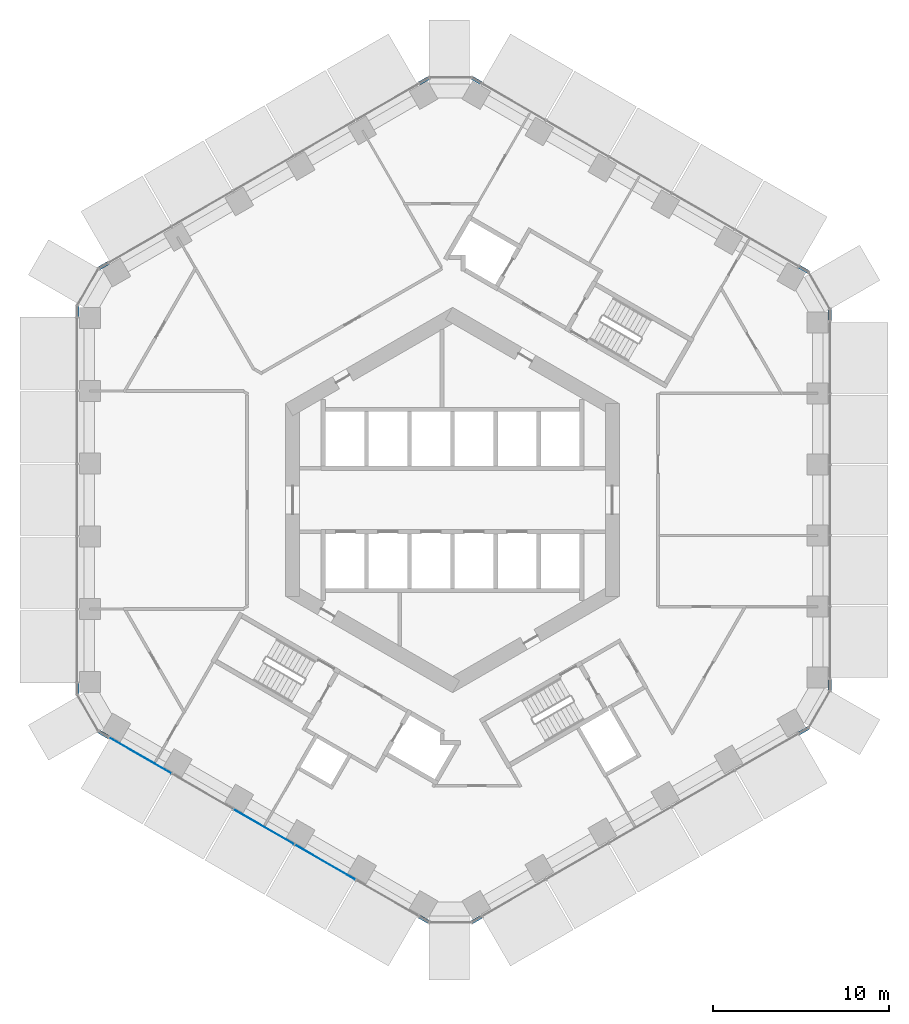
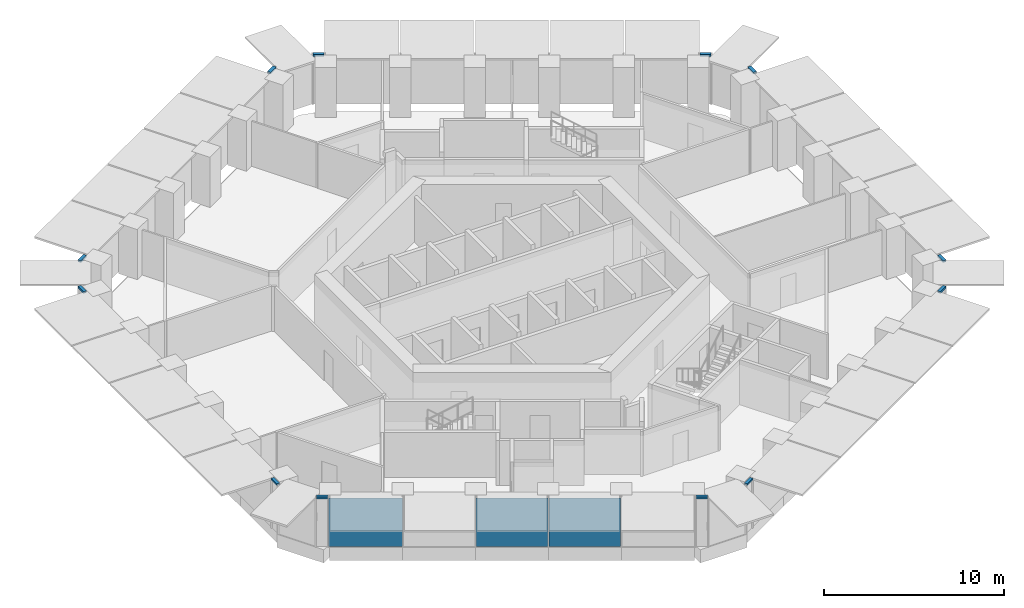
# One storey, part 7 of 19: 12 members, 3 plates, 7 elements without a shape of their own.
"""IFC4 building model written with IfcOpenShell, lengths in metres."""

from ifc_helpers import new_model, si_unit, direction, frame, origin, origin_2d, place, context, subcontext, project, spatial, rectangle, extrude, material, layer, layer_set, material_profile, profile_set, type_object, element, aggregate, save


model = new_model("IFC4")

# Units and contexts
model_context = context("Model", 3, precision=1e-05, world=origin(), true_north=direction((0.0, 1.0)))
body_context = subcontext(model_context, "Body", "Model", "MODEL_VIEW")
ifc_project = project(units=[si_unit("LENGTHUNIT", "METRE"), si_unit("AREAUNIT", "SQUARE_METRE"), si_unit("VOLUMEUNIT", "CUBIC_METRE"), si_unit("PLANEANGLEUNIT", "RADIAN"), si_unit("MASSUNIT", "GRAM", prefix="KILO")], contexts=[model_context])

# Site, building, storey
site_placement = place(None, origin())
site = spatial("IfcSite", under=ifc_project, at=site_placement, CompositionType="ELEMENT")
building_placement = place(site_placement, origin())
building = spatial("IfcBuilding", under=site, at=building_placement, Name="Ayvan Gate Tower", CompositionType="ELEMENT")
storey_placement = place(building_placement, frame((0.0, 0.0, 32.300048828125)))
storey = spatial("IfcBuildingStorey", under=building, at=storey_placement, Name="L07", CompositionType="ELEMENT", Elevation=32.300048828125)

# Curtain wall, members
ifc_material_1 = material(Name="Bronze anodised aluminium", Category="aluminium")
ifc_layer_1 = layer(ifc_material_1, 0.199951171875)
ifc_layer_set_1 = layer_set([ifc_layer_1], Name="Bronze anodised aluminium")
curtain_wall_type_1 = type_object("IfcCurtainWallType", Name="Stick curtain wall CW-6", PredefinedType="NOTDEFINED", material=ifc_layer_set_1)
curtain_wall_1_placement = place(storey_placement, origin())
curtain_wall_1 = element("IfcCurtainWall", 1, at=curtain_wall_1_placement, inside=storey, type_object=curtain_wall_type_1, Name="Stick curtain wall CW-6 L07", PredefinedType="NOTDEFINED")
ifc_material_profile = material_profile(ifc_material_1, rectangle(XDim=0.199951171875, YDim=0.1201171875, at=origin_2d()), Name="Stick curtain wall CW-6 transom 200 x 120")
ifc_profile_set = profile_set([ifc_material_profile], Name="Bronze anodised aluminium")
member_type = type_object("IfcMemberType", Name="Stick curtain wall CW-6 transom 200 x 120", PredefinedType="USERDEFINED", material=ifc_profile_set)
member_1_placement = place(storey_placement, frame((-19.595703125, 13.49462890625, 3.33984375), z_axis=(-0.866022959057, -0.500004234368, 0.0), x_axis=(0.500004234368, -0.866022959057, 0.0)))
member_1 = element("IfcMember", 2, at=member_1_placement, type_object=member_type, Name="CW-6 transom 1", ObjectType="TRANSOM", PredefinedType="USERDEFINED", context=body_context, shape_type="SweptSolid", body=[
    extrude(rectangle(XDim=0.199951171875, YDim=0.1201171875, at=origin_2d()), origin(), (0.0, 0.0, 1.0), 0.625),
])
member_2_placement = place(storey_placement, frame((-21.365966796875, 11.0537109375, 3.33984375), z_axis=(0.0, -1.0, 0.0), x_axis=(1.0, 0.0, 0.0)))
member_2 = element("IfcMember", 3, at=member_2_placement, type_object=member_type, Name="CW-6 transom 2", ObjectType="TRANSOM", PredefinedType="USERDEFINED", context=body_context, shape_type="SweptSolid", body=[
    extrude(rectangle(XDim=0.199951171875, YDim=0.1201171875, at=origin_2d()), origin(), (0.0, 0.0, 1.0), 0.625),
])
aggregate(curtain_wall_1, [member_1, member_2])

curtain_wall_2_placement = place(storey_placement, origin())
curtain_wall_2 = element("IfcCurtainWall", 4, at=curtain_wall_2_placement, inside=storey, type_object=curtain_wall_type_1, Name="Stick curtain wall CW-6 L07", PredefinedType="NOTDEFINED")
member_3_placement = place(storey_placement, frame((-21.365966796875, -10.4287109375, 3.33984375), z_axis=(0.0, -1.0, 0.0), x_axis=(1.0, 0.0, 0.0)))
member_3 = element("IfcMember", 5, at=member_3_placement, type_object=member_type, Name="CW-6 transom 1", ObjectType="TRANSOM", PredefinedType="USERDEFINED", context=body_context, shape_type="SweptSolid", body=[
    extrude(rectangle(XDim=0.199951171875, YDim=0.1201171875, at=origin_2d()), origin(), (0.0, 0.0, 1.0), 0.625),
])
member_4_placement = place(storey_placement, frame((-20.136962890625, -13.18212890625, 3.33984375), z_axis=(0.866022959057, -0.500004234368, 0.0), x_axis=(0.500004234368, 0.866022959057, 0.0)))
member_4 = element("IfcMember", 6, at=member_4_placement, type_object=member_type, Name="CW-6 transom 2", ObjectType="TRANSOM", PredefinedType="USERDEFINED", context=body_context, shape_type="SweptSolid", body=[
    extrude(rectangle(XDim=0.199951171875, YDim=0.1201171875, at=origin_2d()), origin(), (0.0, 0.0, 1.0), 0.625),
])
aggregate(curtain_wall_2, [member_3, member_4])

curtain_wall_3_placement = place(storey_placement, origin())
curtain_wall_3 = element("IfcCurtainWall", 7, at=curtain_wall_3_placement, inside=storey, type_object=curtain_wall_type_1, Name="Stick curtain wall CW-6 L07", PredefinedType="NOTDEFINED")
member_5_placement = place(storey_placement, frame((-1.888916015625, -23.7177734375, 3.33984375), z_axis=(0.866022959057, -0.500004234368, 0.0), x_axis=(0.500004234368, 0.866022959057, 0.0)))
member_5 = element("IfcMember", 8, at=member_5_placement, type_object=member_type, Name="CW-6 transom 1", ObjectType="TRANSOM", PredefinedType="USERDEFINED", context=body_context, shape_type="SweptSolid", body=[
    extrude(rectangle(XDim=0.199951171875, YDim=0.1201171875, at=origin_2d()), origin(), (0.0, 0.0, 1.0), 0.625),
])
member_6_placement = place(storey_placement, frame((1.1103515625, -24.0302734375, 3.33984375), z_axis=(0.866022959057, 0.500004234368, 0.0), x_axis=(-0.500004234368, 0.866022959057, 0.0)))
member_6 = element("IfcMember", 9, at=member_6_placement, type_object=member_type, Name="CW-6 transom 2", ObjectType="TRANSOM", PredefinedType="USERDEFINED", context=body_context, shape_type="SweptSolid", body=[
    extrude(rectangle(XDim=0.199951171875, YDim=0.1201171875, at=origin_2d()), origin(), (0.0, 0.0, 1.0), 0.625),
])
aggregate(curtain_wall_3, [member_5, member_6])

curtain_wall_4_placement = place(storey_placement, origin())
curtain_wall_4 = element("IfcCurtainWall", 10, at=curtain_wall_4_placement, inside=storey, type_object=curtain_wall_type_1, Name="Stick curtain wall CW-6 L07", PredefinedType="NOTDEFINED")
member_7_placement = place(storey_placement, frame((19.71435546875, -13.2890625, 3.33984375), z_axis=(0.866022959057, 0.500004234368, 0.0), x_axis=(-0.500004234368, 0.866022959057, 0.0)))
member_7 = element("IfcMember", 11, at=member_7_placement, type_object=member_type, Name="CW-6 transom 1", ObjectType="TRANSOM", PredefinedType="USERDEFINED", context=body_context, shape_type="SweptSolid", body=[
    extrude(rectangle(XDim=0.199951171875, YDim=0.1201171875, at=origin_2d()), origin(), (0.0, 0.0, 1.0), 0.625),
])
member_8_placement = place(storey_placement, frame((21.484619140625, -10.84814453125, 3.33984375), z_axis=(0.0, 1.0, 0.0), x_axis=(-1.0, 0.0, 0.0)))
member_8 = element("IfcMember", 12, at=member_8_placement, type_object=member_type, Name="CW-6 transom 2", ObjectType="TRANSOM", PredefinedType="USERDEFINED", context=body_context, shape_type="SweptSolid", body=[
    extrude(rectangle(XDim=0.199951171875, YDim=0.1201171875, at=origin_2d()), origin(), (0.0, 0.0, 1.0), 0.625),
])
aggregate(curtain_wall_4, [member_7, member_8])

curtain_wall_5_placement = place(storey_placement, origin())
curtain_wall_5 = element("IfcCurtainWall", 13, at=curtain_wall_5_placement, inside=storey, type_object=curtain_wall_type_1, Name="Stick curtain wall CW-6 L07", PredefinedType="NOTDEFINED")
member_9_placement = place(storey_placement, frame((21.484619140625, 10.22314453125, 3.33984375), z_axis=(0.0, 1.0, 0.0), x_axis=(-1.0, 0.0, 0.0)))
member_9 = element("IfcMember", 14, at=member_9_placement, type_object=member_type, Name="CW-6 transom 1", ObjectType="TRANSOM", PredefinedType="USERDEFINED", context=body_context, shape_type="SweptSolid", body=[
    extrude(rectangle(XDim=0.199951171875, YDim=0.1201171875, at=origin_2d()), origin(), (0.0, 0.0, 1.0), 0.625),
])
member_10_placement = place(storey_placement, frame((20.255615234375, 12.9765625, 3.33984375), z_axis=(-0.866022959057, 0.500004234368, 0.0), x_axis=(-0.500004234368, -0.866022959057, 0.0)))
member_10 = element("IfcMember", 15, at=member_10_placement, type_object=member_type, Name="CW-6 transom 2", ObjectType="TRANSOM", PredefinedType="USERDEFINED", context=body_context, shape_type="SweptSolid", body=[
    extrude(rectangle(XDim=0.199951171875, YDim=0.1201171875, at=origin_2d()), origin(), (0.0, 0.0, 1.0), 0.625),
])
aggregate(curtain_wall_5, [member_9, member_10])

curtain_wall_6_placement = place(storey_placement, origin())
curtain_wall_6 = element("IfcCurtainWall", 16, at=curtain_wall_6_placement, inside=storey, type_object=curtain_wall_type_1, Name="Stick curtain wall CW-6 L07", PredefinedType="NOTDEFINED")
member_11_placement = place(storey_placement, frame((1.651611328125, 23.7177734375, 3.33984375), z_axis=(-0.866022959057, 0.500004234368, 0.0), x_axis=(-0.500004234368, -0.866022959057, 0.0)))
member_11 = element("IfcMember", 17, at=member_11_placement, type_object=member_type, Name="CW-6 transom 1", ObjectType="TRANSOM", PredefinedType="USERDEFINED", context=body_context, shape_type="SweptSolid", body=[
    extrude(rectangle(XDim=0.199951171875, YDim=0.1201171875, at=origin_2d()), origin(), (0.0, 0.0, 1.0), 0.625),
])
member_12_placement = place(storey_placement, frame((-1.34765625, 24.0302734375, 3.33984375), z_axis=(-0.866022959057, -0.500004234368, 0.0), x_axis=(0.500004234368, -0.866022959057, 0.0)))
member_12 = element("IfcMember", 18, at=member_12_placement, type_object=member_type, Name="CW-6 transom 2", ObjectType="TRANSOM", PredefinedType="USERDEFINED", context=body_context, shape_type="SweptSolid", body=[
    extrude(rectangle(XDim=0.199951171875, YDim=0.1201171875, at=origin_2d()), origin(), (0.0, 0.0, 1.0), 0.625),
])
aggregate(curtain_wall_6, [member_11, member_12])

# Curtain wall, plates
ifc_layer_2 = layer(ifc_material_1, 0.199951171875)
ifc_layer_set_2 = layer_set([ifc_layer_2], Name="Bronze anodised aluminium")
curtain_wall_type_2 = type_object("IfcCurtainWallType", Name="Stick curtain wall CW-1", PredefinedType="NOTDEFINED", material=ifc_layer_set_2)
curtain_wall_7_placement = place(storey_placement, origin())
curtain_wall_7 = element("IfcCurtainWall", 19, at=curtain_wall_7_placement, inside=storey, type_object=curtain_wall_type_2, Name="Stick curtain wall CW-1 L07", PredefinedType="NOTDEFINED")
ifc_material_2 = material(Name="Clear low-iron laminated glass", Category="glass")
ifc_layer_3 = layer(ifc_material_2, 0.028076171875)
ifc_layer_set_3 = layer_set([ifc_layer_3], Name="Clear low-iron laminated glass")
plate_type = type_object("IfcPlateType", Name="Stick curtain wall CW-1 glass panel", PredefinedType="CURTAIN_PANEL", material=ifc_layer_set_3)
plate_1_placement = place(storey_placement, frame((-17.792236328125, -14.535888671875, 0.0), z_axis=(0.0, 0.0, 1.0), x_axis=(0.866025403784, -0.5, 0.0)))
plate_1 = element("IfcPlate", 20, at=plate_1_placement, type_object=plate_type, Name="CW-1 glass panel 1", PredefinedType="CURTAIN_PANEL", context=body_context, shape_type="SweptSolid", body=[
    extrude(rectangle(XDim=4.10498046875, YDim=0.028076171875, at=origin_2d()), origin(), (0.0, 0.0, 1.0), 3.280029296875),
])
plate_2_placement = place(storey_placement, frame((-10.742431640625, -18.606201171875, 0.0), z_axis=(0.0, 0.0, 1.0), x_axis=(0.866025403784, -0.5, 0.0)))
plate_2 = element("IfcPlate", 21, at=plate_2_placement, type_object=plate_type, Name="CW-1 glass panel 3", PredefinedType="CURTAIN_PANEL", context=body_context, shape_type="SweptSolid", body=[
    extrude(rectangle(XDim=3.97802734375, YDim=0.028076171875, at=origin_2d()), origin(), (0.0, 0.0, 1.0), 3.280029296875),
])
plate_3_placement = place(storey_placement, frame((-7.244873046875, -20.62548828125, 0.0), z_axis=(0.0, 0.0, 1.0), x_axis=(0.866025403784, -0.5, 0.0)))
plate_3 = element("IfcPlate", 22, at=plate_3_placement, type_object=plate_type, Name="CW-1 glass panel 4", PredefinedType="CURTAIN_PANEL", context=body_context, shape_type="SweptSolid", body=[
    extrude(rectangle(XDim=3.97900390625, YDim=0.028076171875, at=origin_2d()), origin(), (0.0, 0.0, 1.0), 3.280029296875),
])
aggregate(curtain_wall_7, [plate_1, plate_2, plate_3])

save(model, "model.ifc")
